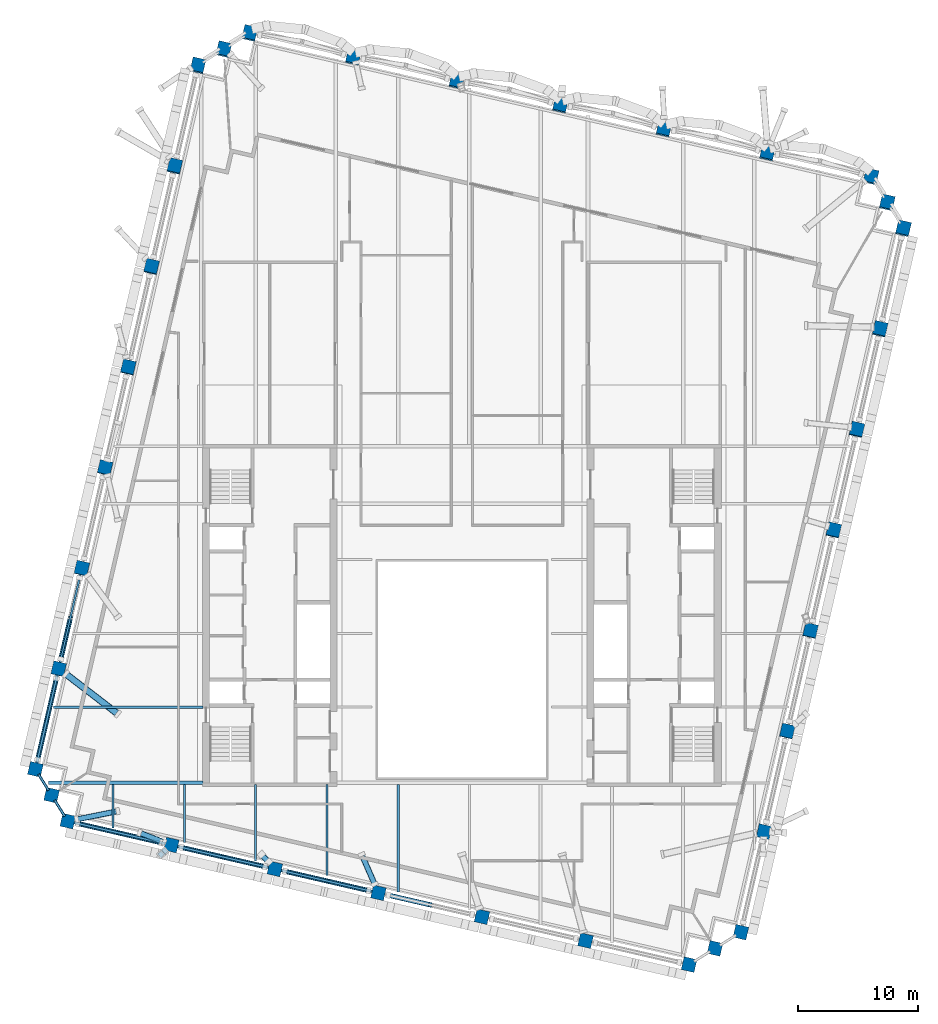
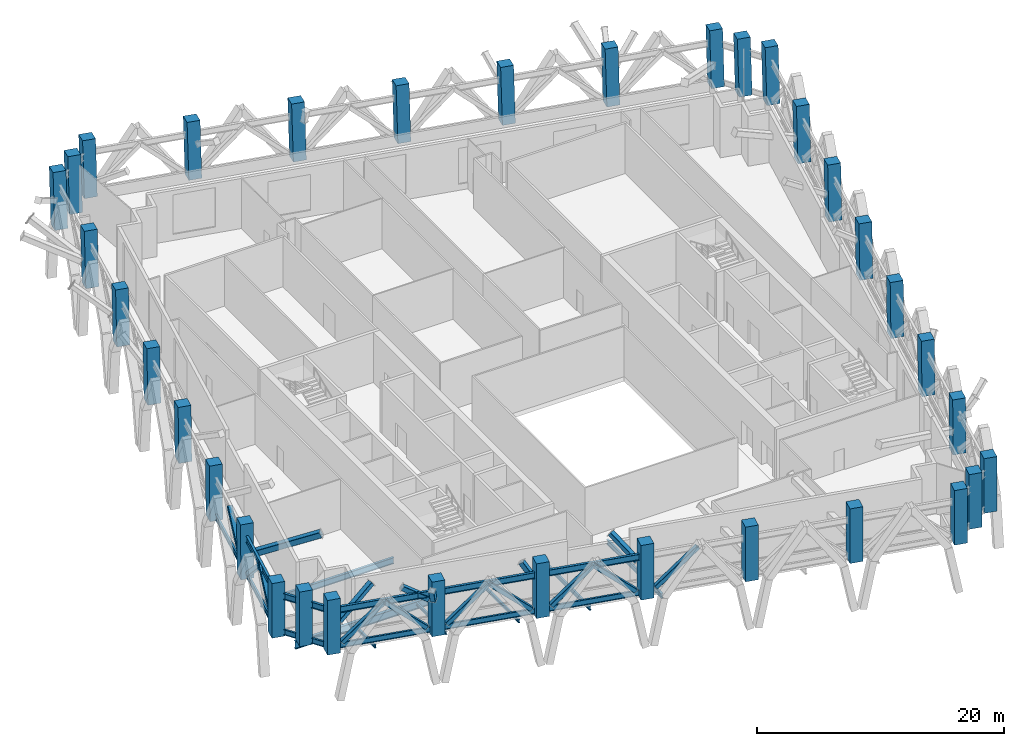
# One storey, part 1 of 19: 34 columns, 20 beams, 16 members.
"""IFC4 building model written with IfcOpenShell, lengths in metres."""

from ifc_helpers import new_model, si_unit, direction, frame, origin, origin_2d, place, context, subcontext, project, spatial, rectangle, hollow_rectangle, i_section, extrude, material, material_profile, profile_set, type_object, element, save


model = new_model("IFC4")

# Units and contexts
model_context = context("Model", 3, precision=1e-05, world=origin(), true_north=direction((0.0, 1.0)))
body_context = subcontext(model_context, "Body", "Model", "MODEL_VIEW")
ifc_project = project(units=[si_unit("LENGTHUNIT", "METRE"), si_unit("AREAUNIT", "SQUARE_METRE"), si_unit("VOLUMEUNIT", "CUBIC_METRE"), si_unit("PLANEANGLEUNIT", "RADIAN"), si_unit("MASSUNIT", "GRAM", prefix="KILO")], contexts=[model_context])

# Site, building, storey
site_placement = place(None, origin())
site = spatial("IfcSite", under=ifc_project, at=site_placement, CompositionType="ELEMENT")
building_placement = place(site_placement, origin())
building = spatial("IfcBuilding", under=site, at=building_placement, Name="Ogive Exchange Tower", CompositionType="ELEMENT")
storey_placement = place(building_placement, frame((0.0, 0.0, 297.60009765625)))
storey = spatial("IfcBuildingStorey", under=building, at=storey_placement, Name="L65", CompositionType="ELEMENT", Elevation=297.60009765625)

# Columns
ifc_material_1 = material(Name="Precast concrete C70/85 (limestone faced)", Category="masonry")
ifc_material_profile_1 = material_profile(ifc_material_1, rectangle(XDim=1.10009765625, YDim=1.10009765625, at=origin_2d()), Name="1100 x 1100")
ifc_profile_set_1 = profile_set([ifc_material_profile_1], Name="Precast concrete C70/85 (limestone faced)")
column_type = type_object("IfcColumnType", Name="Precast exoskeleton leg 1100 x 1100 C70/85", PredefinedType="COLUMN", material=ifc_profile_set_1)
for number, where, z_axis, x_axis, name in (
    (1, (-32.820556640625, -5.635498046875, 0.0), (0.0, 0.0, 1.0), (0.974370064785, -0.224951054344, 0.0), "Exoskeleton leg 1"),
    (2, (-24.197265625, -7.62646484375, 0.0), (0.0, 0.0, 1.0), (0.974370064785, -0.224951054344, 0.0), "Exoskeleton leg 2"),
    (3, (-15.57421875, -9.6171875, 0.0), (0.0, 0.0, 1.0), (0.974370064785, -0.224951054344, 0.0), "Exoskeleton leg 3"),
    (4, (-6.950927734375, -11.60791015625, 0.0), (0.0, 0.0, 1.0), (0.974370064785, -0.224951054344, 0.0), "Exoskeleton leg 4"),
    (5, (1.672119140625, -13.598876953125, 0.0), (0.0, 0.0, 1.0), (0.974370064785, -0.224951054344, 0.0), "Exoskeleton leg 5"),
    (6, (10.29541015625, -15.589599609375, 0.0), (0.0, 0.0, 1.0), (0.974370064785, -0.224951054344, 0.0), "Exoskeleton leg 6"),
    (7, (18.91845703125, -17.58056640625, 0.0), (0.0, 0.0, 1.0), (0.974370064785, -0.224951054344, 0.0), "Exoskeleton leg 7"),
    (8, (23.236083984375, -14.882568359375, 0.0), (0.0, 0.0, 1.0), (0.974370064785, -0.224951054344, 0.0), "Exoskeleton leg 8"),
):
    element("IfcColumn", number, at=place(storey_placement, frame(where, z_axis=z_axis, x_axis=x_axis)), inside=storey, type_object=column_type, Name=name, PredefinedType="COLUMN", context=body_context, shape_type="SweptSolid", body=[
        extrude(rectangle(XDim=1.10009765625, YDim=1.10009765625, at=origin_2d()), origin(), (0.0, 0.0, 1.0), 5.39990234375),
    ])
column_1_placement = place(storey_placement, frame((25.167724609375, -6.515625, 0.0), z_axis=(0.002938534749, 0.012658303533, 0.999915562618), x_axis=(-0.974097200243, 0.226129707199, 0.0)))
element("IfcColumn", 9, at=column_1_placement, inside=storey, type_object=column_type, Name="Exoskeleton leg 9", PredefinedType="COLUMN", context=body_context, shape_type="SweptSolid", body=[
    extrude(rectangle(XDim=1.10009765625, YDim=1.10009765625, at=origin_2d()), origin(), (0.0, 0.0, 1.0), 5.400390625),
])
column_2_placement = place(storey_placement, frame((27.099365234375, 1.851318359375, 0.0), z_axis=(0.005875588108, 0.025265028863, 0.999663521282), x_axis=(-0.974008027039, 0.22651349466, 0.0)))
element("IfcColumn", 10, at=column_2_placement, inside=storey, type_object=column_type, Name="Exoskeleton leg 10", PredefinedType="COLUMN", context=body_context, shape_type="SweptSolid", body=[
    extrude(rectangle(XDim=1.10009765625, YDim=1.10009765625, at=origin_2d()), origin(), (0.0, 0.0, 1.0), 5.401611328125),
])
column_3_placement = place(storey_placement, frame((29.031005859375, 10.21826171875, 0.0), z_axis=(0.008764496367, 0.037904187898, 0.999242941503), x_axis=(-0.974293244823, 0.225283539327, 0.0)))
element("IfcColumn", 11, at=column_3_placement, inside=storey, type_object=column_type, Name="Exoskeleton leg 11", PredefinedType="COLUMN", context=body_context, shape_type="SweptSolid", body=[
    extrude(rectangle(XDim=1.10009765625, YDim=1.10009765625, at=origin_2d()), origin(), (0.0, 0.0, 1.0), 5.404052734375),
])
column_4_placement = place(storey_placement, frame((30.962646484375, 18.585205078125, 0.0), z_axis=(0.01169416231, 0.050524199325, 0.998654370566), x_axis=(-0.974244251432, 0.225495318249, 0.0)))
element("IfcColumn", 12, at=column_4_placement, inside=storey, type_object=column_type, Name="Exoskeleton leg 12", PredefinedType="COLUMN", context=body_context, shape_type="SweptSolid", body=[
    extrude(rectangle(XDim=1.10009765625, YDim=1.10009765625, at=origin_2d()), origin(), (0.0, 0.0, 1.0), 5.4072265625),
])
column_5_placement = place(storey_placement, frame((32.894287109375, 26.9521484375, 0.0), z_axis=(0.014617924938, 0.063118756136, 0.997898962267), x_axis=(-0.97421484969, 0.225622309721, 0.0)))
element("IfcColumn", 13, at=column_5_placement, inside=storey, type_object=column_type, Name="Exoskeleton leg 13", PredefinedType="COLUMN", context=body_context, shape_type="SweptSolid", body=[
    extrude(rectangle(XDim=1.10009765625, YDim=1.10009765625, at=origin_2d()), origin(), (0.0, 0.0, 1.0), 5.411376953125),
])
column_6_placement = place(storey_placement, frame((34.825927734375, 35.319091796875, 0.0), z_axis=(0.017489271755, 0.075681668239, 0.996978640928), x_axis=(-0.974322688243, 0.225156166193, 0.0)))
element("IfcColumn", 14, at=column_6_placement, inside=storey, type_object=column_type, Name="Exoskeleton leg 14", PredefinedType="COLUMN", context=body_context, shape_type="SweptSolid", body=[
    extrude(rectangle(XDim=1.10009765625, YDim=1.10009765625, at=origin_2d()), origin(), (0.0, 0.0, 1.0), 5.416259765625),
])
for number, where, z_axis, x_axis, name in (
    (15, (36.7578125, 43.685791015625, 0.0), (0.020351858904, 0.088251423568, 0.995890299218), (-0.974424700969, 0.224714267774, 0.0), "Exoskeleton leg 15"),
    (16, (34.059814453125, 48.00341796875, 0.0), (0.020351939755, 0.088206747743, 0.995894255532), (-0.974399578103, 0.224823179838, 0.0), "Exoskeleton leg 16"),
    (17, (25.4365234375, 49.994384765625, 0.0), (0.020396947458, 0.088206666824, 0.995893341911), (-0.974290512438, 0.225295355862, 0.0), "Exoskeleton leg 17"),
    (18, (16.8134765625, 51.985107421875, 0.0), (0.020351939755, 0.088206747743, 0.995894255532), (-0.974399578103, 0.224823179838, 0.0), "Exoskeleton leg 18"),
    (19, (8.190185546875, 53.975830078125, 0.0), (0.020396866429, 0.088251342608, 0.995889385609), (-0.974315738122, 0.225186239474, 0.0), "Exoskeleton leg 19"),
    (20, (-0.432861328125, 55.966796875, 0.0), (0.020351939755, 0.088206747743, 0.995894255532), (-0.974399578103, 0.224823179838, 0.0), "Exoskeleton leg 20"),
    (21, (-9.05615234375, 57.95751953125, 0.0), (0.020351939755, 0.088206747743, 0.995894255532), (-0.974399578103, 0.224823179838, 0.0), "Exoskeleton leg 21"),
    (22, (-17.67919921875, 59.948486328125, 0.0), (0.020351939755, 0.088206747743, 0.995894255532), (-0.974399578103, 0.224823179838, 0.0), "Exoskeleton leg 22"),
    (23, (-21.996826171875, 57.25048828125, 0.0), (0.020351939755, 0.088206747743, 0.995894255532), (-0.974399578103, 0.224823179838, 0.0), "Exoskeleton leg 23"),
):
    element("IfcColumn", number, at=place(storey_placement, frame(where, z_axis=z_axis, x_axis=x_axis)), inside=storey, type_object=column_type, Name=name, PredefinedType="COLUMN", context=body_context, shape_type="SweptSolid", body=[
        extrude(rectangle(XDim=1.10009765625, YDim=1.10009765625, at=origin_2d()), origin(), (0.0, 0.0, 1.0), 5.422119140625),
    ])
column_7_placement = place(storey_placement, frame((-23.928466796875, 48.883544921875, 0.0), z_axis=(0.017489271755, 0.075681668239, 0.996978640928), x_axis=(-0.974322688243, 0.225156166193, 0.0)))
element("IfcColumn", 24, at=column_7_placement, inside=storey, type_object=column_type, Name="Exoskeleton leg 24", PredefinedType="COLUMN", context=body_context, shape_type="SweptSolid", body=[
    extrude(rectangle(XDim=1.10009765625, YDim=1.10009765625, at=origin_2d()), origin(), (0.0, 0.0, 1.0), 5.416259765625),
])
column_8_placement = place(storey_placement, frame((-25.860107421875, 40.5166015625, 0.0), z_axis=(0.014572775968, 0.063163734844, 0.997896776626), x_axis=(-0.974402924741, 0.22480867478, 0.0)))
element("IfcColumn", 25, at=column_8_placement, inside=storey, type_object=column_type, Name="Exoskeleton leg 25", PredefinedType="COLUMN", context=body_context, shape_type="SweptSolid", body=[
    extrude(rectangle(XDim=1.10009765625, YDim=1.10009765625, at=origin_2d()), origin(), (0.0, 0.0, 1.0), 5.411376953125),
])
column_9_placement = place(storey_placement, frame((-27.791748046875, 32.149658203125, 0.0), z_axis=(0.011648990657, 0.050569261768, 0.998652617671), x_axis=(-0.974479105773, 0.22447822258, 0.0)))
element("IfcColumn", 26, at=column_9_placement, inside=storey, type_object=column_type, Name="Exoskeleton leg 26", PredefinedType="COLUMN", context=body_context, shape_type="SweptSolid", body=[
    extrude(rectangle(XDim=1.10009765625, YDim=1.10009765625, at=origin_2d()), origin(), (0.0, 0.0, 1.0), 5.4072265625),
])
column_10_placement = place(storey_placement, frame((-29.723388671875, 23.78271484375, 0.0), z_axis=(0.00876448135, 0.03794930069, 0.999241229355), x_axis=(-0.974352081763, 0.225028933169, 0.0)))
element("IfcColumn", 27, at=column_10_placement, inside=storey, type_object=column_type, Name="Exoskeleton leg 27", PredefinedType="COLUMN", context=body_context, shape_type="SweptSolid", body=[
    extrude(rectangle(XDim=1.10009765625, YDim=1.10009765625, at=origin_2d()), origin(), (0.0, 0.0, 1.0), 5.404052734375),
])
column_11_placement = place(storey_placement, frame((-31.655029296875, 15.415771484375, 0.0), z_axis=(0.005830386155, 0.025310203463, 0.999662643194), x_axis=(-0.974479105773, 0.22447822258, 0.0)))
element("IfcColumn", 28, at=column_11_placement, inside=storey, type_object=column_type, Name="Exoskeleton leg 28", PredefinedType="COLUMN", context=body_context, shape_type="SweptSolid", body=[
    extrude(rectangle(XDim=1.10009765625, YDim=1.10009765625, at=origin_2d()), origin(), (0.0, 0.0, 1.0), 5.401611328125),
])
column_12_placement = place(storey_placement, frame((-33.5869140625, 7.048828125, 0.0), z_axis=(0.002938534749, 0.012658303533, 0.999915562618), x_axis=(-0.974097200243, 0.226129707199, 0.0)))
element("IfcColumn", 29, at=column_12_placement, inside=storey, type_object=column_type, Name="Exoskeleton leg 29", PredefinedType="COLUMN", context=body_context, shape_type="SweptSolid", body=[
    extrude(rectangle(XDim=1.10009765625, YDim=1.10009765625, at=origin_2d()), origin(), (0.0, 0.0, 1.0), 5.400390625),
])
for number, where, z_axis, x_axis, name in (
    (30, (-35.518310546875, -1.318115234375, 0.0), (0.0, 0.0, 1.0), (0.974370064785, -0.224951054344, 0.0), "Exoskeleton leg 30"),
    (31, (21.077392578125, -16.2314453125, 0.0), (0.0, 0.0, 1.0), (0.974370064785, -0.224951054344, 0.0), "Exoskeleton leg 31"),
):
    element("IfcColumn", number, at=place(storey_placement, frame(where, z_axis=z_axis, x_axis=x_axis)), inside=storey, type_object=column_type, Name=name, PredefinedType="COLUMN", context=body_context, shape_type="SweptSolid", body=[
        extrude(rectangle(XDim=1.10009765625, YDim=1.10009765625, at=origin_2d()), origin(), (0.0, 0.0, 1.0), 5.39990234375),
    ])
for number, where, z_axis, x_axis, name in (
    (32, (35.40869140625, 45.8447265625, 0.0), (0.020396947458, 0.088206666824, 0.995893341911), (-0.974290512438, 0.225295355862, 0.0), "Exoskeleton leg 32"),
    (33, (-19.837890625, 58.599365234375, 0.0), (0.020351858904, 0.088251423568, 0.995890299218), (-0.974424700969, 0.224714267774, 0.0), "Exoskeleton leg 33"),
):
    element("IfcColumn", number, at=place(storey_placement, frame(where, z_axis=z_axis, x_axis=x_axis)), inside=storey, type_object=column_type, Name=name, PredefinedType="COLUMN", context=body_context, shape_type="SweptSolid", body=[
        extrude(rectangle(XDim=1.10009765625, YDim=1.10009765625, at=origin_2d()), origin(), (0.0, 0.0, 1.0), 5.422119140625),
    ])
column_13_placement = place(storey_placement, frame((-34.16943359375, -3.476806640625, 0.0), z_axis=(0.0, 0.0, 1.0), x_axis=(0.974370064785, -0.224951054344, 0.0)))
element("IfcColumn", 34, at=column_13_placement, inside=storey, type_object=column_type, Name="Exoskeleton leg 34", PredefinedType="COLUMN", context=body_context, shape_type="SweptSolid", body=[
    extrude(rectangle(XDim=1.10009765625, YDim=1.10009765625, at=origin_2d()), origin(), (0.0, 0.0, 1.0), 5.39990234375),
])

# Beams
ifc_material_2 = material(Name="Steel ASTM A992 Gr50", Category="steel")
ifc_material_profile_2 = material_profile(ifc_material_2, i_section(OverallWidth=0.1669921875, OverallDepth=0.535888671875, WebThickness=0.01025390625, FlangeThickness=0.0166015625, at=origin_2d()), Name="W530x85")
ifc_profile_set_2 = profile_set([ifc_material_profile_2], Name="Steel ASTM A992 Gr50")
beam_type_1 = type_object("IfcBeamType", Name="Belt truss bottom chord W530x85", PredefinedType="BEAM", material=ifc_profile_set_2)
for number, where, z_axis, x_axis, name in (
    (35, (-32.30419921875, -5.7548828125, 0.39990234375), (0.974374818602, -0.224930462307, 0.0), (0.224930462307, 0.974374818602, 0.0), "Belt truss bottom chord 1"),
    (36, (-23.680908203125, -7.74560546875, 0.39990234375), (0.974367949416, -0.224960216819, 0.0), (0.224960216819, 0.974367949416, 0.0), "Belt truss bottom chord 2"),
    (37, (-15.0576171875, -9.736328125, 0.39990234375), (0.974367949416, -0.224960216819, 0.0), (0.224960216819, 0.974367949416, 0.0), "Belt truss bottom chord 3"),
):
    element("IfcBeam", number, at=place(storey_placement, frame(where, z_axis=z_axis, x_axis=x_axis)), inside=storey, type_object=beam_type_1, Name=name, PredefinedType="BEAM", context=body_context, shape_type="SweptSolid", body=[
        extrude(i_section(OverallWidth=0.1669921875, OverallDepth=0.535888671875, WebThickness=0.01025390625, FlangeThickness=0.0166015625, at=origin_2d()), origin(), (0.0, 0.0, 1.0), 7.7900390625),
    ])
for number, where, z_axis, x_axis, name in (
    (38, (-31.77197265625, 14.909423828125, 0.39990234375), (-0.224947094069, -0.974370979078, 0.0), (0.974370979078, -0.224947094069, 0.0), "Belt truss bottom chord 31"),
    (39, (-33.704833984375, 6.53759765625, 0.39990234375), (-0.224947094069, -0.974370979078, 0.0), (0.974370979078, -0.224947094069, 0.0), "Belt truss bottom chord 32"),
):
    element("IfcBeam", number, at=place(storey_placement, frame(where, z_axis=z_axis, x_axis=x_axis)), inside=storey, type_object=beam_type_1, Name=name, PredefinedType="BEAM", context=body_context, shape_type="SweptSolid", body=[
        extrude(i_section(OverallWidth=0.1669921875, OverallDepth=0.535888671875, WebThickness=0.01025390625, FlangeThickness=0.0166015625, at=origin_2d()), origin(), (0.0, 0.0, 1.0), 7.5322265625),
    ])
for number, where, z_axis, x_axis, name in (
    (40, (-35.26513671875, -1.72314453125, 0.39990234375), (0.529902320601, -0.848058683477, 0.0), (0.848058683477, 0.529902320601, 0.0), "Belt truss bottom chord 33"),
    (41, (-33.916259765625, -3.882080078125, 0.39990234375), (0.529902320601, -0.848058683477, 0.0), (0.848058683477, 0.529902320601, 0.0), "Belt truss bottom chord 34"),
):
    element("IfcBeam", number, at=place(storey_placement, frame(where, z_axis=z_axis, x_axis=x_axis)), inside=storey, type_object=beam_type_1, Name=name, PredefinedType="BEAM", context=body_context, shape_type="SweptSolid", body=[
        extrude(i_section(OverallWidth=0.1669921875, OverallDepth=0.535888671875, WebThickness=0.01025390625, FlangeThickness=0.0166015625, at=origin_2d()), origin(), (0.0, 0.0, 1.0), 1.590087890625),
    ])

# Members
ifc_material_3 = material(Name="Steel ASTM A1085 Gr A", Category="steel")
ifc_material_profile_3 = material_profile(ifc_material_3, hollow_rectangle(XDim=0.406005859375, YDim=0.406005859375, WallThickness=0.01904296875, InnerFilletRadius=0.01904296875, OuterFilletRadius=0.0380859375, at=origin_2d()), Name="HSS406.4x406.4x19")
ifc_profile_set_3 = profile_set([ifc_material_profile_3], Name="Steel ASTM A1085 Gr A")
member_type_1 = type_object("IfcMemberType", Name="Belt truss diagonal HSS406.4x406.4x19", PredefinedType="BRACE", material=ifc_profile_set_3)
member_1_placement = place(storey_placement, frame((-31.9990234375, -5.8251953125, 0.684814453125), z_axis=(0.720708792952, -0.166414362446, 0.672967380884), x_axis=(0.224983947548, 0.974362470206, 0.0)))
element("IfcMember", 42, at=member_1_placement, inside=storey, type_object=member_type_1, Name="Belt truss diagonal 1a", PredefinedType="BRACE", context=body_context, shape_type="SweptSolid", body=[
    extrude(hollow_rectangle(XDim=0.406005859375, YDim=0.406005859375, WallThickness=0.01904296875, InnerFilletRadius=0.01904296875, OuterFilletRadius=0.0380859375, at=origin_2d()), origin(), (0.0, 0.0, 1.0), 4.8427734375),
])
member_2_placement = place(storey_placement, frame((-25.018798828125, -7.436767578125, 0.684814453125), z_axis=(-0.720690609841, 0.16637138947, 0.672997478192), x_axis=(-0.224934177752, -0.974373960899, 0.0)))
element("IfcMember", 43, at=member_2_placement, inside=storey, type_object=member_type_1, Name="Belt truss diagonal 1b", PredefinedType="BRACE", context=body_context, shape_type="SweptSolid", body=[
    extrude(hollow_rectangle(XDim=0.406005859375, YDim=0.406005859375, WallThickness=0.01904296875, InnerFilletRadius=0.01904296875, OuterFilletRadius=0.0380859375, at=origin_2d()), origin(), (0.0, 0.0, 1.0), 4.842529296875),
])
for number, where, z_axis, x_axis, name in (
    (44, (-23.3759765625, -7.81591796875, 0.684814453125), (0.720708792952, -0.166414362446, 0.672967380884), (0.224983947548, 0.974362470206, 0.0), "Belt truss diagonal 2a"),
    (45, (-16.3955078125, -9.427490234375, 0.684814453125), (-0.720714838499, 0.166365344645, 0.67297302596), (-0.22491923968, -0.974377409232, 0.0), "Belt truss diagonal 2b"),
):
    element("IfcMember", number, at=place(storey_placement, frame(where, z_axis=z_axis, x_axis=x_axis)), inside=storey, type_object=member_type_1, Name=name, PredefinedType="BRACE", context=body_context, shape_type="SweptSolid", body=[
        extrude(hollow_rectangle(XDim=0.406005859375, YDim=0.406005859375, WallThickness=0.01904296875, InnerFilletRadius=0.01904296875, OuterFilletRadius=0.0380859375, at=origin_2d()), origin(), (0.0, 0.0, 1.0), 4.8427734375),
    ])
member_3_placement = place(storey_placement, frame((-14.752685546875, -9.806884765625, 0.684814453125), z_axis=(0.720690609841, -0.16637138947, 0.672997478192), x_axis=(0.224934177752, 0.974373960899, 0.0)))
element("IfcMember", 46, at=member_3_placement, inside=storey, type_object=member_type_1, Name="Belt truss diagonal 3a", PredefinedType="BRACE", context=body_context, shape_type="SweptSolid", body=[
    extrude(hollow_rectangle(XDim=0.406005859375, YDim=0.406005859375, WallThickness=0.01904296875, InnerFilletRadius=0.01904296875, OuterFilletRadius=0.0380859375, at=origin_2d()), origin(), (0.0, 0.0, 1.0), 4.842529296875),
])
for number, where, z_axis, x_axis, name in (
    (47, (-7.7724609375, -11.41845703125, 0.684814453125), (-0.720708792952, 0.166414362446, 0.672967380884), (-0.224983947548, -0.974362470206, 0.0), "Belt truss diagonal 3b"),
    (48, (-6.129638671875, -11.797607421875, 0.684814453125), (0.720708792952, -0.166414362446, 0.672967380884), (0.224983947548, 0.974362470206, 0.0), "Belt truss diagonal 4a"),
):
    element("IfcMember", number, at=place(storey_placement, frame(where, z_axis=z_axis, x_axis=x_axis)), inside=storey, type_object=member_type_1, Name=name, PredefinedType="BRACE", context=body_context, shape_type="SweptSolid", body=[
        extrude(hollow_rectangle(XDim=0.406005859375, YDim=0.406005859375, WallThickness=0.01904296875, InnerFilletRadius=0.01904296875, OuterFilletRadius=0.0380859375, at=origin_2d()), origin(), (0.0, 0.0, 1.0), 4.8427734375),
    ])
member_4_placement = place(storey_placement, frame((-33.39697265625, 7.870849609375, 0.684814453125), z_axis=(0.165186382274, 0.71560428763, 0.678692833789), x_axis=(-0.974377192736, 0.224920177563, 0.0)))
element("IfcMember", 49, at=member_4_placement, inside=storey, type_object=member_type_1, Name="Belt truss diagonal 31b", PredefinedType="BRACE", context=body_context, shape_type="SweptSolid", body=[
    extrude(hollow_rectangle(XDim=0.406005859375, YDim=0.406005859375, WallThickness=0.01904296875, InnerFilletRadius=0.01904296875, OuterFilletRadius=0.0380859375, at=origin_2d()), origin(), (0.0, 0.0, 1.0), 4.802001953125),
])
member_5_placement = place(storey_placement, frame((-33.772705078125, 6.244140625, 0.68505859375), z_axis=(-0.163330078112, -0.707557642078, 0.687521249651), x_axis=(0.97437684815, -0.224921670342, 0.0)))
element("IfcMember", 50, at=member_5_placement, inside=storey, type_object=member_type_1, Name="Belt truss diagonal 32a", PredefinedType="BRACE", context=body_context, shape_type="SweptSolid", body=[
    extrude(hollow_rectangle(XDim=0.406005859375, YDim=0.406005859375, WallThickness=0.01904296875, InnerFilletRadius=0.01904296875, OuterFilletRadius=0.0380859375, at=origin_2d()), origin(), (0.0, 0.0, 1.0), 4.739990234375),
])
member_6_placement = place(storey_placement, frame((-35.33056640625, -0.504638671875, 0.68505859375), z_axis=(0.164270134295, 0.711632550626, 0.683077181487), x_axis=(-0.974377022537, 0.224920914882, 0.0)))
element("IfcMember", 51, at=member_6_placement, inside=storey, type_object=member_type_1, Name="Belt truss diagonal 32b", PredefinedType="BRACE", context=body_context, shape_type="SweptSolid", body=[
    extrude(hollow_rectangle(XDim=0.406005859375, YDim=0.406005859375, WallThickness=0.01904296875, InnerFilletRadius=0.01904296875, OuterFilletRadius=0.0380859375, at=origin_2d()), origin(), (0.0, 0.0, 1.0), 4.770751953125),
])

# Beams
ifc_material_profile_4 = material_profile(ifc_material_2, i_section(OverallWidth=0.22900390625, OverallDepth=0.612060546875, WebThickness=0.011962890625, FlangeThickness=0.01953125, at=origin_2d()), Name="W610x125")
ifc_profile_set_4 = profile_set([ifc_material_profile_4], Name="Steel ASTM A992 Gr50")
beam_type_2 = type_object("IfcBeamType", Name="Belt truss top chord W610x125", PredefinedType="BEAM", material=ifc_profile_set_4)
for number, where, z_axis, x_axis, name in (
    (52, (-32.30419921875, -5.7548828125, 3.94384765625), (0.974374818602, -0.224930462307, 0.0), (0.224930462307, 0.974374818602, 0.0), "Belt truss top chord 1"),
    (53, (-23.680908203125, -7.74560546875, 3.94384765625), (0.974367949416, -0.224960216819, 0.0), (0.224960216819, 0.974367949416, 0.0), "Belt truss top chord 2"),
    (54, (-15.0576171875, -9.736328125, 3.94384765625), (0.974367949416, -0.224960216819, 0.0), (0.224960216819, 0.974367949416, 0.0), "Belt truss top chord 3"),
):
    element("IfcBeam", number, at=place(storey_placement, frame(where, z_axis=z_axis, x_axis=x_axis)), inside=storey, type_object=beam_type_2, Name=name, PredefinedType="BEAM", context=body_context, shape_type="SweptSolid", body=[
        extrude(i_section(OverallWidth=0.22900390625, OverallDepth=0.612060546875, WebThickness=0.011962890625, FlangeThickness=0.01953125, at=origin_2d()), origin(), (0.0, 0.0, 1.0), 7.7900390625),
    ])
beam_1_placement = place(storey_placement, frame((-33.694580078125, 6.58251953125, 3.94384765625), z_axis=(-0.224932444649, -0.974374360985, 0.0), x_axis=(0.974374360985, -0.224932444649, 0.0)))
element("IfcBeam", 55, at=beam_1_placement, inside=storey, type_object=beam_type_2, Name="Belt truss top chord 32", PredefinedType="BEAM", context=body_context, shape_type="SweptSolid", body=[
    extrude(i_section(OverallWidth=0.22900390625, OverallDepth=0.612060546875, WebThickness=0.011962890625, FlangeThickness=0.01953125, at=origin_2d()), origin(), (0.0, 0.0, 1.0), 7.578125),
])
for number, where, z_axis, x_axis, name in (
    (56, (-35.26513671875, -1.72314453125, 3.94384765625), (0.529902320601, -0.848058683477, 0.0), (0.848058683477, 0.529902320601, 0.0), "Belt truss top chord 33"),
    (57, (-33.916259765625, -3.882080078125, 3.94384765625), (0.529902320601, -0.848058683477, 0.0), (0.848058683477, 0.529902320601, 0.0), "Belt truss top chord 34"),
):
    element("IfcBeam", number, at=place(storey_placement, frame(where, z_axis=z_axis, x_axis=x_axis)), inside=storey, type_object=beam_type_2, Name=name, PredefinedType="BEAM", context=body_context, shape_type="SweptSolid", body=[
        extrude(i_section(OverallWidth=0.22900390625, OverallDepth=0.612060546875, WebThickness=0.011962890625, FlangeThickness=0.01953125, at=origin_2d()), origin(), (0.0, 0.0, 1.0), 1.590087890625),
    ])

# Members
ifc_material_profile_5 = material_profile(ifc_material_3, hollow_rectangle(XDim=0.45703125, YDim=0.45703125, WallThickness=0.01904296875, InnerFilletRadius=0.01904296875, OuterFilletRadius=0.0380859375, at=origin_2d()), Name="HSS457.2x457.2x19")
ifc_profile_set_5 = profile_set([ifc_material_profile_5], Name="Steel ASTM A1085 Gr A")
member_type_2 = type_object("IfcMemberType", Name="Block-change strut HSS457.2x457.2x19", PredefinedType="STRUT", material=ifc_profile_set_5)
member_7_placement = place(storey_placement, frame((-24.77001953125, -8.14599609375, 3.703857421875), z_axis=(-0.226511076577, -0.205735795288, 0.952032307606), x_axis=(0.672344638482, -0.74023826374, 0.0)))
element("IfcMember", 58, at=member_7_placement, inside=storey, type_object=member_type_2, Name="Block-change strut 1", PredefinedType="STRUT", context=body_context, shape_type="SweptSolid", body=[
    extrude(hollow_rectangle(XDim=0.45703125, YDim=0.45703125, WallThickness=0.01904296875, InnerFilletRadius=0.01904296875, OuterFilletRadius=0.0380859375, at=origin_2d()), origin(), (0.0, 0.0, 1.0), 1.21044921875),
])
member_8_placement = place(storey_placement, frame((-16.103271484375, -9.04541015625, 3.63330078125), z_axis=(-0.405595119773, 0.43867736841, 0.801906955489), x_axis=(-0.734250811673, -0.678878299519, 0.0)))
element("IfcMember", 59, at=member_8_placement, inside=storey, type_object=member_type_2, Name="Block-change strut 2", PredefinedType="STRUT", context=body_context, shape_type="SweptSolid", body=[
    extrude(hollow_rectangle(XDim=0.45703125, YDim=0.45703125, WallThickness=0.01904296875, InnerFilletRadius=0.01904296875, OuterFilletRadius=0.0380859375, at=origin_2d()), origin(), (0.0, 0.0, 1.0), 1.446533203125),
])
member_9_placement = place(storey_placement, frame((-7.26708984375, -10.88330078125, 3.075927734375), z_axis=(-0.339735129058, 0.779051788786, 0.526932967723), x_axis=(-0.916631972201, -0.399732194774, 0.0)))
element("IfcMember", 60, at=member_9_placement, inside=storey, type_object=member_type_2, Name="Block-change strut 3", PredefinedType="STRUT", context=body_context, shape_type="SweptSolid", body=[
    extrude(hollow_rectangle(XDim=0.45703125, YDim=0.45703125, WallThickness=0.01904296875, InnerFilletRadius=0.01904296875, OuterFilletRadius=0.0380859375, at=origin_2d()), origin(), (0.0, 0.0, 1.0), 3.16259765625),
])
member_10_placement = place(storey_placement, frame((-32.086181640625, -5.48828125, 2.5830078125), z_axis=(0.833361878195, 0.166922580792, 0.526920138154), x_axis=(-0.196399192844, 0.980524021659, 0.0)))
element("IfcMember", 61, at=member_10_placement, inside=storey, type_object=member_type_2, Name="Block-change strut 30", PredefinedType="STRUT", context=body_context, shape_type="SweptSolid", body=[
    extrude(hollow_rectangle(XDim=0.45703125, YDim=0.45703125, WallThickness=0.01904296875, InnerFilletRadius=0.01904296875, OuterFilletRadius=0.0380859375, at=origin_2d()), origin(), (0.0, 0.0, 1.0), 4.09814453125),
])
member_11_placement = place(storey_placement, frame((-24.797607421875, -7.39404296875, 3.391357421875), z_axis=(-0.792657217142, 0.306684552122, 0.526914719479), x_axis=(-0.360840098046, -0.932627698303, 0.0)))
element("IfcMember", 62, at=member_11_placement, inside=storey, type_object=member_type_2, Name="Block-change strut 34", PredefinedType="STRUT", context=body_context, shape_type="SweptSolid", body=[
    extrude(hollow_rectangle(XDim=0.45703125, YDim=0.45703125, WallThickness=0.01904296875, InnerFilletRadius=0.01904296875, OuterFilletRadius=0.0380859375, at=origin_2d()), origin(), (0.0, 0.0, 1.0), 2.564208984375),
])
ifc_material_profile_6 = material_profile(ifc_material_3, hollow_rectangle(XDim=0.55908203125, YDim=0.55908203125, WallThickness=0.022216796875, InnerFilletRadius=0.022216796875, OuterFilletRadius=0.04443359375, at=origin_2d()), Name="HSS558.8x558.8x22.2")
ifc_profile_set_6 = profile_set([ifc_material_profile_6], Name="Steel ASTM A1085 Gr A")
member_type_3 = type_object("IfcMemberType", Name="Block-change strut HSS558.8x558.8x22.2", PredefinedType="STRUT", material=ifc_profile_set_6)
member_12_placement = place(storey_placement, frame((-32.984130859375, 6.61962890625, 2.3037109375), z_axis=(0.726279032762, -0.558657217304, 0.400525754633), x_axis=(0.609697759614, 0.792633989885, 0.0)))
element("IfcMember", 63, at=member_12_placement, inside=storey, type_object=member_type_3, Name="Block-change strut 29", PredefinedType="STRUT", context=body_context, shape_type="SweptSolid", body=[
    extrude(hollow_rectangle(XDim=0.55908203125, YDim=0.55908203125, WallThickness=0.022216796875, InnerFilletRadius=0.022216796875, OuterFilletRadius=0.04443359375, at=origin_2d()), origin(), (0.0, 0.0, 1.0), 5.942626953125),
])

# Beams
ifc_material_profile_7 = material_profile(ifc_material_2, i_section(OverallWidth=0.1650390625, OverallDepth=0.31005859375, WebThickness=0.005859375, FlangeThickness=0.009765625, at=origin_2d()), Name="W310x38.7")
ifc_profile_set_7 = profile_set([ifc_material_profile_7], Name="Steel ASTM A992 Gr50")
beam_type_3 = type_object("IfcBeamType", Name="Floor beam W310x38.7", PredefinedType="JOIST", material=ifc_profile_set_7)
beam_2_placement = place(storey_placement, frame((-29.045654296875, -6.1953125, -0.60498046875), z_axis=(0.0, 1.0, 0.0), x_axis=(-1.0, 0.0, 0.0)))
element("IfcBeam", 64, at=beam_2_placement, inside=storey, type_object=beam_type_3, Name="Floor beam", PredefinedType="JOIST", context=body_context, shape_type="SweptSolid", body=[
    extrude(i_section(OverallWidth=0.1650390625, OverallDepth=0.31005859375, WebThickness=0.005859375, FlangeThickness=0.009765625, at=origin_2d()), origin(), (0.0, 0.0, 1.0), 3.61669921875),
])
beam_3_placement = place(storey_placement, frame((-23.112548828125, -7.4150390625, -0.60498046875), z_axis=(0.0, 1.0, 0.0), x_axis=(-1.0, 0.0, 0.0)))
element("IfcBeam", 65, at=beam_3_placement, inside=storey, type_object=beam_type_3, Name="Floor beam", PredefinedType="JOIST", context=body_context, shape_type="SweptSolid", body=[
    extrude(i_section(OverallWidth=0.1650390625, OverallDepth=0.31005859375, WebThickness=0.005859375, FlangeThickness=0.009765625, at=origin_2d()), origin(), (0.0, 0.0, 1.0), 4.83642578125),
])
beam_4_placement = place(storey_placement, frame((-17.179443359375, -8.934814453125, -0.60498046875), z_axis=(0.0, 1.0, 0.0), x_axis=(-1.0, 0.0, 0.0)))
element("IfcBeam", 66, at=beam_4_placement, inside=storey, type_object=beam_type_3, Name="Floor beam", PredefinedType="JOIST", context=body_context, shape_type="SweptSolid", body=[
    extrude(i_section(OverallWidth=0.1650390625, OverallDepth=0.31005859375, WebThickness=0.005859375, FlangeThickness=0.009765625, at=origin_2d()), origin(), (0.0, 0.0, 1.0), 6.334716796875),
])
ifc_material_profile_8 = material_profile(ifc_material_2, i_section(OverallWidth=0.177978515625, OverallDepth=0.406005859375, WebThickness=0.0078125, FlangeThickness=0.0126953125, at=origin_2d()), Name="W410x60")
ifc_profile_set_8 = profile_set([ifc_material_profile_8], Name="Steel ASTM A992 Gr50")
beam_type_4 = type_object("IfcBeamType", Name="Floor beam W410x60", PredefinedType="JOIST", material=ifc_profile_set_8)
beam_5_placement = place(storey_placement, frame((-11.24658203125, -10.154541015625, -0.653076171875), z_axis=(0.0, 1.0, 0.0), x_axis=(-1.0, 0.0, 0.0)))
element("IfcBeam", 67, at=beam_5_placement, inside=storey, type_object=beam_type_4, Name="Floor beam", PredefinedType="JOIST", context=body_context, shape_type="SweptSolid", body=[
    extrude(i_section(OverallWidth=0.177978515625, OverallDepth=0.406005859375, WebThickness=0.0078125, FlangeThickness=0.0126953125, at=origin_2d()), origin(), (0.0, 0.0, 1.0), 7.554443359375),
])
ifc_material_profile_9 = material_profile(ifc_material_2, i_section(OverallWidth=0.19091796875, OverallDepth=0.45703125, WebThickness=0.009033203125, FlangeThickness=0.014404296875, at=origin_2d()), Name="W460x74")
ifc_profile_set_9 = profile_set([ifc_material_profile_9], Name="Steel ASTM A992 Gr50")
beam_type_5 = type_object("IfcBeamType", Name="Floor beam W460x74", PredefinedType="JOIST", material=ifc_profile_set_9)
beam_6_placement = place(storey_placement, frame((-5.3134765625, -11.5244140625, -0.6787109375), z_axis=(0.0, 1.0, 0.0), x_axis=(-1.0, 0.0, 0.0)))
element("IfcBeam", 68, at=beam_6_placement, inside=storey, type_object=beam_type_5, Name="Floor beam", PredefinedType="JOIST", context=body_context, shape_type="SweptSolid", body=[
    extrude(i_section(OverallWidth=0.19091796875, OverallDepth=0.45703125, WebThickness=0.009033203125, FlangeThickness=0.014404296875, at=origin_2d()), origin(), (0.0, 0.0, 1.0), 8.929443359375),
])
ifc_material_profile_10 = material_profile(ifc_material_2, i_section(OverallWidth=0.22802734375, OverallDepth=0.60205078125, WebThickness=0.010498046875, FlangeThickness=0.014892578125, at=origin_2d()), Name="W610x101")
ifc_profile_set_10 = profile_set([ifc_material_profile_10], Name="Steel ASTM A992 Gr50")
beam_type_6 = type_object("IfcBeamType", Name="Floor beam W610x101", PredefinedType="JOIST", material=ifc_profile_set_10)
beam_7_placement = place(storey_placement, frame((-34.011474609375, 3.8583984375, -0.7509765625), z_axis=(1.0, 0.0, 0.0), x_axis=(0.0, 1.0, 0.0)))
element("IfcBeam", 69, at=beam_7_placement, inside=storey, type_object=beam_type_6, Name="Floor beam", PredefinedType="JOIST", context=body_context, shape_type="SweptSolid", body=[
    extrude(i_section(OverallWidth=0.22802734375, OverallDepth=0.60205078125, WebThickness=0.010498046875, FlangeThickness=0.014892578125, at=origin_2d()), origin(), (0.0, 0.0, 1.0), 12.431396484375),
])
ifc_material_profile_11 = material_profile(ifc_material_2, i_section(OverallWidth=0.26708984375, OverallDepth=0.75390625, WebThickness=0.01318359375, FlangeThickness=0.01708984375, at=origin_2d()), Name="W760x147")
ifc_profile_set_11 = profile_set([ifc_material_profile_11], Name="Steel ASTM A992 Gr50")
beam_type_7 = type_object("IfcBeamType", Name="Girder W760x147", PredefinedType="BEAM", material=ifc_profile_set_11)
beam_8_placement = place(storey_placement, frame((-34.43359375, -2.445068359375, -0.8271484375), z_axis=(1.0, 0.0, 0.0), x_axis=(0.0, 1.0, 0.0)))
element("IfcBeam", 70, at=beam_8_placement, inside=storey, type_object=beam_type_7, Name="Header girder", PredefinedType="BEAM", context=body_context, shape_type="SweptSolid", body=[
    extrude(i_section(OverallWidth=0.26708984375, OverallDepth=0.75390625, WebThickness=0.01318359375, FlangeThickness=0.01708984375, at=origin_2d()), origin(), (0.0, 0.0, 1.0), 12.853515625),
])

save(model, "model.ifc")
